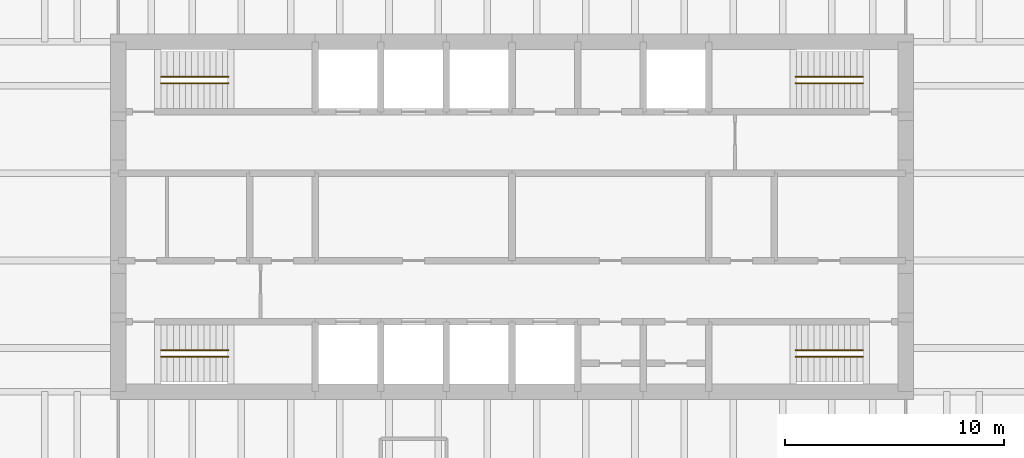
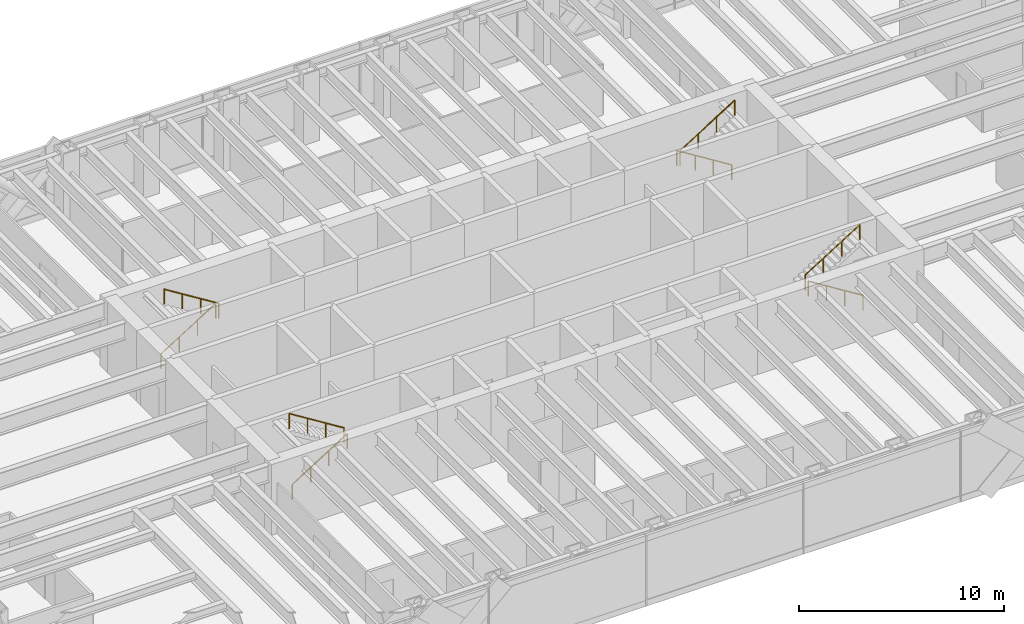
# One storey, part 17 of 17: 8 railings.
"""IFC4 building model written with IfcOpenShell, lengths in metres."""

from ifc_helpers import new_model, si_unit, direction, frame, origin, origin_2d, place, context, subcontext, project, spatial, circle, extrude, material, type_object, element, save


model = new_model("IFC4")

# Units and contexts
model_context = context("Model", 3, precision=1e-05, world=origin(), true_north=direction((0.0, 1.0)))
body_context = subcontext(model_context, "Body", "Model", "MODEL_VIEW")
ifc_project = project(units=[si_unit("LENGTHUNIT", "METRE"), si_unit("AREAUNIT", "SQUARE_METRE"), si_unit("VOLUMEUNIT", "CUBIC_METRE"), si_unit("PLANEANGLEUNIT", "RADIAN"), si_unit("MASSUNIT", "GRAM", prefix="KILO")], contexts=[model_context])

# Site, building, storey
site_placement = place(None, origin())
site = spatial("IfcSite", under=ifc_project, at=site_placement, CompositionType="ELEMENT")
building_placement = place(site_placement, origin())
building = spatial("IfcBuilding", under=site, at=building_placement, Name="Rheinbord Bourse Tower", CompositionType="ELEMENT")
storey_placement = place(building_placement, frame((0.0, 0.0, 287.89990234375)))
storey = spatial("IfcBuildingStorey", under=building, at=storey_placement, Name="L65", CompositionType="ELEMENT", Elevation=287.89990234375)

# Railings
ifc_material = material(Name="Steel handrail", Category="steel")
railing_type = type_object("IfcRailingType", Name="HANDRAIL 900", PredefinedType="HANDRAIL", material=ifc_material)
railing_1_placement = place(storey_placement, frame((19.949951171875, 17.60009765625, 0.175048828125)))
element("IfcRailing", 1, at=railing_1_placement, inside=storey, type_object=railing_type, Name="Handrail", PredefinedType="HANDRAIL", context=body_context, shape_type="SweptSolid", body=[
    extrude(circle(Radius=0.02392578125, at=origin_2d()), frame((0.0, 0.0, 0.8759765625), z_axis=(0.847998304005, 0.0, 0.529998940003), x_axis=(0.0, 1.0, 0.0)), (0.0, 0.0, 1.0), 3.632080078125),
    extrude(circle(Radius=0.02099609375, at=origin_2d()), origin(), (0.0, 0.0, 1.0), 0.851806640625),
    extrude(circle(Radius=0.02099609375, at=origin_2d()), frame((1.026611328125, 0.0, 0.6416015625)), (0.0, 0.0, 1.0), 0.851806640625),
    extrude(circle(Radius=0.02099609375, at=origin_2d()), frame((2.053466796875, 0.0, 1.283447265625)), (0.0, 0.0, 1.0), 0.851806640625),
    extrude(circle(Radius=0.02099609375, at=origin_2d()), frame((3.080078125, 0.0, 1.925048828125)), (0.0, 0.0, 1.0), 0.851806640625),
])
railing_2_placement = place(storey_placement, frame((23.030029296875, 17.89990234375, 2.275146484375)))
element("IfcRailing", 2, at=railing_2_placement, inside=storey, type_object=railing_type, Name="Handrail", PredefinedType="HANDRAIL", context=body_context, shape_type="SweptSolid", body=[
    extrude(circle(Radius=0.02392578125, at=origin_2d()), frame((0.0, 0.0, 0.8759765625), z_axis=(-0.847998304005, 0.0, 0.529998940003), x_axis=(0.0, -1.0, 0.0)), (0.0, 0.0, 1.0), 3.632080078125),
    extrude(circle(Radius=0.02099609375, at=origin_2d()), origin(), (0.0, 0.0, 1.0), 0.851806640625),
    extrude(circle(Radius=0.02099609375, at=origin_2d()), frame((-1.026611328125, 0.0, 0.6416015625)), (0.0, 0.0, 1.0), 0.851806640625),
    extrude(circle(Radius=0.02099609375, at=origin_2d()), frame((-2.053466796875, 0.0, 1.283447265625)), (0.0, 0.0, 1.0), 0.851806640625),
    extrude(circle(Radius=0.02099609375, at=origin_2d()), frame((-3.080078125, 0.0, 1.925048828125)), (0.0, 0.0, 1.0), 0.851806640625),
])
railing_3_placement = place(storey_placement, frame((19.949951171875, 30.39990234375, 0.175048828125)))
element("IfcRailing", 3, at=railing_3_placement, inside=storey, type_object=railing_type, Name="Handrail", PredefinedType="HANDRAIL", context=body_context, shape_type="SweptSolid", body=[
    extrude(circle(Radius=0.02392578125, at=origin_2d()), frame((0.0, 0.0, 0.8759765625), z_axis=(0.847998304005, 0.0, 0.529998940003), x_axis=(0.0, 1.0, 0.0)), (0.0, 0.0, 1.0), 3.632080078125),
    extrude(circle(Radius=0.02099609375, at=origin_2d()), origin(), (0.0, 0.0, 1.0), 0.851806640625),
    extrude(circle(Radius=0.02099609375, at=origin_2d()), frame((1.026611328125, 0.0, 0.6416015625)), (0.0, 0.0, 1.0), 0.851806640625),
    extrude(circle(Radius=0.02099609375, at=origin_2d()), frame((2.053466796875, 0.0, 1.283447265625)), (0.0, 0.0, 1.0), 0.851806640625),
    extrude(circle(Radius=0.02099609375, at=origin_2d()), frame((3.080078125, 0.0, 1.925048828125)), (0.0, 0.0, 1.0), 0.851806640625),
])
for number, where, name in (
    (4, (23.030029296875, 30.10009765625, 2.275146484375), "Handrail"),
    (5, (52.050048828125, 17.60009765625, 0.175048828125), "Handrail"),
):
    element("IfcRailing", number, at=place(storey_placement, frame(where)), inside=storey, type_object=railing_type, Name=name, PredefinedType="HANDRAIL", context=body_context, shape_type="SweptSolid", body=[
        extrude(circle(Radius=0.02392578125, at=origin_2d()), frame((0.0, 0.0, 0.8759765625), z_axis=(-0.847998304005, 0.0, 0.529998940003), x_axis=(0.0, -1.0, 0.0)), (0.0, 0.0, 1.0), 3.632080078125),
        extrude(circle(Radius=0.02099609375, at=origin_2d()), origin(), (0.0, 0.0, 1.0), 0.851806640625),
        extrude(circle(Radius=0.02099609375, at=origin_2d()), frame((-1.026611328125, 0.0, 0.6416015625)), (0.0, 0.0, 1.0), 0.851806640625),
        extrude(circle(Radius=0.02099609375, at=origin_2d()), frame((-2.053466796875, 0.0, 1.283447265625)), (0.0, 0.0, 1.0), 0.851806640625),
        extrude(circle(Radius=0.02099609375, at=origin_2d()), frame((-3.080078125, 0.0, 1.925048828125)), (0.0, 0.0, 1.0), 0.851806640625),
    ])
railing_4_placement = place(storey_placement, frame((48.969970703125, 17.89990234375, 2.275146484375)))
element("IfcRailing", 6, at=railing_4_placement, inside=storey, type_object=railing_type, Name="Handrail", PredefinedType="HANDRAIL", context=body_context, shape_type="SweptSolid", body=[
    extrude(circle(Radius=0.02392578125, at=origin_2d()), frame((0.0, 0.0, 0.8759765625), z_axis=(0.847998304005, 0.0, 0.529998940003), x_axis=(0.0, 1.0, 0.0)), (0.0, 0.0, 1.0), 3.632080078125),
    extrude(circle(Radius=0.02099609375, at=origin_2d()), origin(), (0.0, 0.0, 1.0), 0.851806640625),
    extrude(circle(Radius=0.02099609375, at=origin_2d()), frame((1.026611328125, 0.0, 0.6416015625)), (0.0, 0.0, 1.0), 0.851806640625),
    extrude(circle(Radius=0.02099609375, at=origin_2d()), frame((2.053466796875, 0.0, 1.283447265625)), (0.0, 0.0, 1.0), 0.851806640625),
    extrude(circle(Radius=0.02099609375, at=origin_2d()), frame((3.080078125, 0.0, 1.925048828125)), (0.0, 0.0, 1.0), 0.851806640625),
])
railing_5_placement = place(storey_placement, frame((52.050048828125, 30.39990234375, 0.175048828125)))
element("IfcRailing", 7, at=railing_5_placement, inside=storey, type_object=railing_type, Name="Handrail", PredefinedType="HANDRAIL", context=body_context, shape_type="SweptSolid", body=[
    extrude(circle(Radius=0.02392578125, at=origin_2d()), frame((0.0, 0.0, 0.8759765625), z_axis=(-0.847998304005, 0.0, 0.529998940003), x_axis=(0.0, -1.0, 0.0)), (0.0, 0.0, 1.0), 3.632080078125),
    extrude(circle(Radius=0.02099609375, at=origin_2d()), origin(), (0.0, 0.0, 1.0), 0.851806640625),
    extrude(circle(Radius=0.02099609375, at=origin_2d()), frame((-1.026611328125, 0.0, 0.6416015625)), (0.0, 0.0, 1.0), 0.851806640625),
    extrude(circle(Radius=0.02099609375, at=origin_2d()), frame((-2.053466796875, 0.0, 1.283447265625)), (0.0, 0.0, 1.0), 0.851806640625),
    extrude(circle(Radius=0.02099609375, at=origin_2d()), frame((-3.080078125, 0.0, 1.925048828125)), (0.0, 0.0, 1.0), 0.851806640625),
])
railing_6_placement = place(storey_placement, frame((48.969970703125, 30.10009765625, 2.275146484375)))
element("IfcRailing", 8, at=railing_6_placement, inside=storey, type_object=railing_type, Name="Handrail", PredefinedType="HANDRAIL", context=body_context, shape_type="SweptSolid", body=[
    extrude(circle(Radius=0.02392578125, at=origin_2d()), frame((0.0, 0.0, 0.8759765625), z_axis=(0.847998304005, 0.0, 0.529998940003), x_axis=(0.0, 1.0, 0.0)), (0.0, 0.0, 1.0), 3.632080078125),
    extrude(circle(Radius=0.02099609375, at=origin_2d()), origin(), (0.0, 0.0, 1.0), 0.851806640625),
    extrude(circle(Radius=0.02099609375, at=origin_2d()), frame((1.026611328125, 0.0, 0.6416015625)), (0.0, 0.0, 1.0), 0.851806640625),
    extrude(circle(Radius=0.02099609375, at=origin_2d()), frame((2.053466796875, 0.0, 1.283447265625)), (0.0, 0.0, 1.0), 0.851806640625),
    extrude(circle(Radius=0.02099609375, at=origin_2d()), frame((3.080078125, 0.0, 1.925048828125)), (0.0, 0.0, 1.0), 0.851806640625),
])

save(model, "model.ifc")
